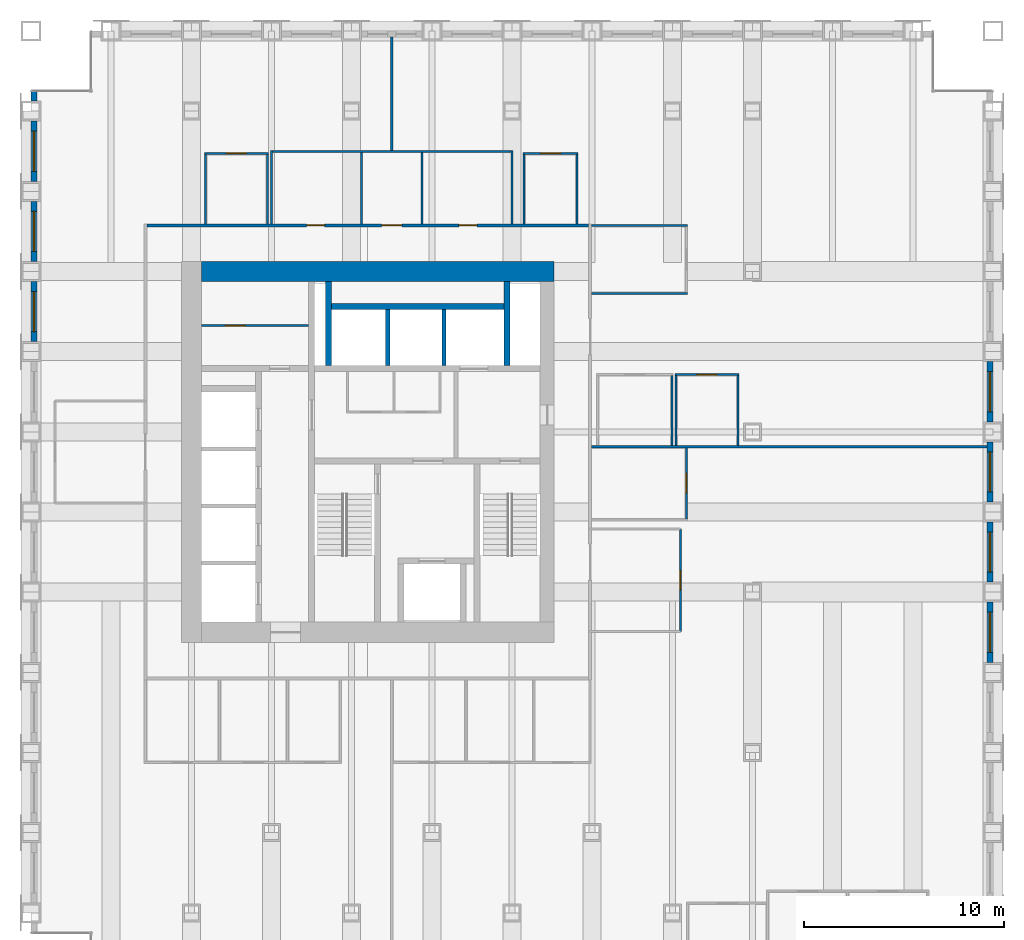
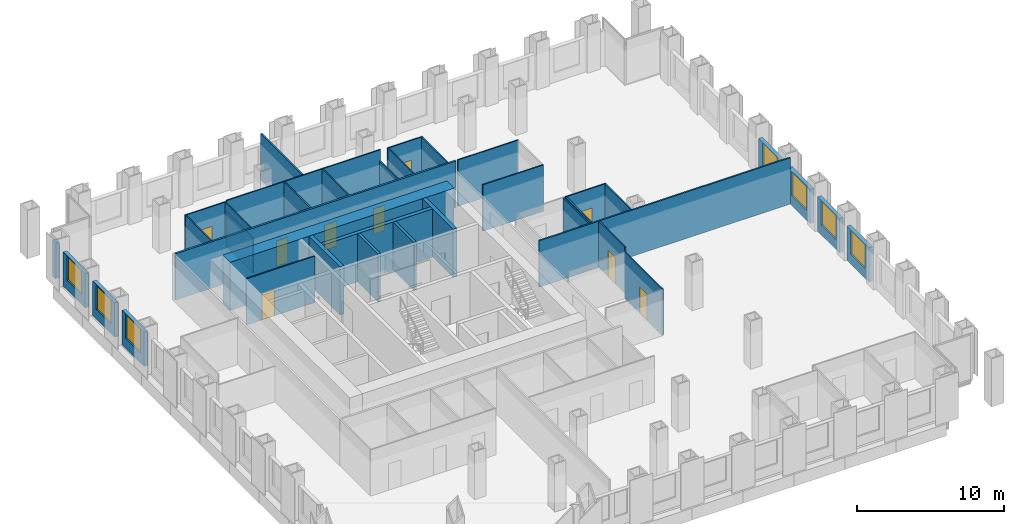
# One storey, part 13 of 16: 37 walls, 9 doors, 7 windows, 16 openings.
"""IFC4 building model written with IfcOpenShell, lengths in metres."""

from ifc_helpers import new_model, si_unit, direction, frame, frame_2d, origin, place, context, subcontext, project, spatial, rectangle, extrude, material, layer, layer_set, type_object, element, fill, save


model = new_model("IFC4")

# Units and contexts
model_context = context("Model", 3, precision=1e-05, world=origin(), true_north=direction((0.0, 1.0)))
body_context = subcontext(model_context, "Body", "Model", "MODEL_VIEW")
ifc_project = project(units=[si_unit("LENGTHUNIT", "METRE"), si_unit("AREAUNIT", "SQUARE_METRE"), si_unit("VOLUMEUNIT", "CUBIC_METRE"), si_unit("PLANEANGLEUNIT", "RADIAN"), si_unit("MASSUNIT", "GRAM", prefix="KILO")], contexts=[model_context])

# Site, building, storey
site_placement = place(None, origin())
site = spatial("IfcSite", under=ifc_project, at=site_placement, CompositionType="ELEMENT")
building_placement = place(site_placement, origin())
building = spatial("IfcBuilding", under=site, at=building_placement, Name="Rimbunsela Tower", CompositionType="ELEMENT")
storey_placement = place(building_placement, frame((0.0, 0.0, 97.39990234375)))
storey = spatial("IfcBuildingStorey", under=building, at=storey_placement, Name="L23", CompositionType="ELEMENT", Elevation=97.39990234375)

# Walls
ifc_material_1 = material(Name="Concrete fc' 80 MPa", Category="concrete")
ifc_layer_1 = layer(ifc_material_1, 0.300048828125)
ifc_layer_set_1 = layer_set([ifc_layer_1], Name="Core internal wall 300")
wall_type_1 = type_object("IfcWallType", Name="Core internal wall 300", PredefinedType="SHEAR", material=ifc_layer_set_1)
for number, where, z_axis, x_axis, name in (
    (1, (24.85009765625, 31.300048828125, -0.14990234375), (0.0, 0.0, 1.0), (0.0, 1.0, 0.0), "Riser wall"),
    (2, (33.75, 31.300048828125, -0.14990234375), (0.0, 0.0, 1.0), (0.0, 1.0, 0.0), "Riser wall"),
):
    element("IfcWall", number, at=place(storey_placement, frame(where, z_axis=z_axis, x_axis=x_axis)), inside=storey, type_object=wall_type_1, Name=name, PredefinedType="SHEAR", context=body_context, shape_type="SweptSolid", body=[
        extrude(rectangle(XDim=4.199951171875, YDim=0.300048828125, at=frame_2d((2.10009765625, 0.0))), origin(), (0.0, 0.0, 1.0), 4.0),
    ])
wall_1_placement = place(storey_placement, frame((25.0, 34.25, -0.14990234375), z_axis=(0.0, 0.0, 1.0), x_axis=(1.0, 0.0, 0.0)))
element("IfcWall", 3, at=wall_1_placement, inside=storey, type_object=wall_type_1, Name="Lift shaft rear north", PredefinedType="SHEAR", context=body_context, shape_type="SweptSolid", body=[
    extrude(rectangle(XDim=8.60009765625, YDim=0.300048828125, at=frame_2d((4.300048828125, 0.0))), origin(), (0.0, 0.0, 1.0), 4.0),
])

# Wall, opening, door
ifc_material_2 = material(Name="Concrete blockwork", Category="masonry")
ifc_layer_2 = layer(ifc_material_2, 0.10009765625)
ifc_layer_set_2 = layer_set([ifc_layer_2], Name="Core room partition 100")
wall_type_2 = type_object("IfcWallType", Name="Core room partition 100", PredefinedType="PARTITIONING", material=ifc_layer_set_2)
wall_2_placement = place(storey_placement, frame((18.5, 33.300048828125, 0.0), z_axis=(0.0, 0.0, 1.0), x_axis=(1.0, 0.0, 0.0)))
wall_2 = element("IfcWall", 4, at=wall_2_placement, inside=storey, type_object=wall_type_2, Name="Tenant store wall", PredefinedType="PARTITIONING", context=body_context, shape_type="SweptSolid", body=[
    extrude(rectangle(XDim=5.35009765625, YDim=0.10009765625, at=frame_2d((2.675048828125, 0.0))), origin(), (0.0, 0.0, 1.0), 3.85009765625),
])
opening_1_placement = place(wall_2_placement, frame((1.199951171875, 0.0, 0.0)))
opening_1 = element("IfcOpeningElement", 5, at=opening_1_placement, cuts=wall_2, Name="Opening D19", PredefinedType="OPENING", context=body_context, shape_type="SweptSolid", body=[
    extrude(rectangle(XDim=1.0, YDim=2.199951171875, at=frame_2d((0.5, 1.10009765625))), frame((0.0, 0.06005859375, 0.0), z_axis=(0.0, -1.0, 0.0), x_axis=(1.0, 0.0, 0.0)), (0.0, 0.0, 1.0), 0.1201171875),
])
ifc_material_3 = material(Name="Steel door, fire rated", Category="steel")
door_type_1 = type_object("IfcDoorType", Name="Service door 1000 fire rated", OperationType="SINGLE_SWING_LEFT", PredefinedType="DOOR", material=ifc_material_3)
door_1_placement = place(opening_1_placement, origin())
door_1 = element("IfcDoor", 6, at=door_1_placement, inside=storey, type_object=door_type_1, Name="Tenant store door", OperationType="SINGLE_SWING_LEFT", OverallHeight=2.199951171875, OverallWidth=1.0, PredefinedType="DOOR", context=body_context, shape_type="SweptSolid", body=[
    extrude(rectangle(XDim=1.0, YDim=2.199951171875, at=frame_2d((0.5, 1.10009765625))), frame((0.0, 0.02490234375, 0.0), z_axis=(0.0, -1.0, 0.0), x_axis=(1.0, 0.0, 0.0)), (0.0, 0.0, 1.0), 0.050048828125),
])
fill(opening_1, door_1)

# Walls
ifc_material_4 = material(Name="Concrete fc' 80 MPa", Category="concrete")
ifc_layer_3 = layer(ifc_material_4, 1.0)
ifc_layer_set_3 = layer_set([ifc_layer_3], Name="Core wall 1000")
wall_type_3 = type_object("IfcWallType", Name="Core wall 1000", PredefinedType="SHEAR", material=ifc_layer_set_3)
wall_3_placement = place(storey_placement, frame((18.5, 36.0, -0.14990234375), z_axis=(0.0, 0.0, 1.0), x_axis=(1.0, 0.0, 0.0)))
element("IfcWall", 7, at=wall_3_placement, inside=storey, type_object=wall_type_3, Name="Core wall north", PredefinedType="SHEAR", context=body_context, shape_type="SweptSolid", body=[
    extrude(rectangle(XDim=17.60009765625, YDim=1.0, at=frame_2d((8.800048828125, 0.0))), origin(), (0.0, 0.0, 1.0), 4.0),
])
ifc_material_5 = material(Name="Concrete blockwork", Category="masonry")
ifc_layer_4 = layer(ifc_material_5, 0.199951171875)
ifc_layer_set_4 = layer_set([ifc_layer_4], Name="Lift shaft wall 200")
wall_type_4 = type_object("IfcWallType", Name="Lift shaft wall 200", PredefinedType="SOLIDWALL", material=ifc_layer_set_4)
for number, where, z_axis, x_axis, name in (
    (8, (27.800048828125, 31.300048828125, -0.14990234375), (0.0, 0.0, 1.0), (0.0, 1.0, 0.0), "Lift shaft separation"),
    (9, (30.60009765625, 31.300048828125, -0.14990234375), (0.0, 0.0, 1.0), (0.0, 1.0, 0.0), "Lift shaft separation"),
):
    element("IfcWall", number, at=place(storey_placement, frame(where, z_axis=z_axis, x_axis=x_axis)), inside=storey, type_object=wall_type_4, Name=name, PredefinedType="SOLIDWALL", context=body_context, shape_type="SweptSolid", body=[
        extrude(rectangle(XDim=2.800048828125, YDim=0.199951171875, at=frame_2d((1.39990234375, 0.0))), origin(), (0.0, 0.0, 1.0), 4.0),
    ])

# Wall, opening, door
ifc_material_6 = material(Name="Gypsum board on steel studs", Category="steel")
ifc_layer_5 = layer(ifc_material_6, 0.10009765625)
ifc_layer_set_5 = layer_set([ifc_layer_5], Name="Office partition 100")
wall_type_5 = type_object("IfcWallType", Name="Office partition 100", PredefinedType="PARTITIONING", material=ifc_layer_set_5)
wall_4_placement = place(storey_placement, frame((42.125, 30.85009765625, 0.0), z_axis=(0.0, 0.0, 1.0), x_axis=(1.0, 0.0, 0.0)))
wall_4 = element("IfcWall", 10, at=wall_4_placement, inside=storey, type_object=wall_type_5, Name="Office partition", PredefinedType="PARTITIONING", context=body_context, shape_type="SweptSolid", body=[
    extrude(rectangle(XDim=3.199951171875, YDim=0.10009765625, at=frame_2d((1.60009765625, 0.0))), origin(), (0.0, 0.0, 1.0), 3.85009765625),
])
opening_2_placement = place(wall_4_placement, frame((1.10009765625, 0.0, 0.0)))
opening_2 = element("IfcOpeningElement", 11, at=opening_2_placement, cuts=wall_4, Name="Opening D16", PredefinedType="OPENING", context=body_context, shape_type="SweptSolid", body=[
    extrude(rectangle(XDim=1.0, YDim=2.199951171875, at=frame_2d((0.5, 1.10009765625))), frame((0.0, 0.06005859375, 0.0), z_axis=(0.0, -1.0, 0.0), x_axis=(1.0, 0.0, 0.0)), (0.0, 0.0, 1.0), 0.1201171875),
])
ifc_material_7 = material(Name="Timber door", Category="wood")
door_type_2 = type_object("IfcDoorType", Name="Office door 1000", OperationType="SINGLE_SWING_LEFT", PredefinedType="DOOR", material=ifc_material_7)
door_2_placement = place(opening_2_placement, origin())
door_2 = element("IfcDoor", 12, at=door_2_placement, inside=storey, type_object=door_type_2, Name="Office door", OperationType="SINGLE_SWING_LEFT", OverallHeight=2.199951171875, OverallWidth=1.0, PredefinedType="DOOR", context=body_context, shape_type="SweptSolid", body=[
    extrude(rectangle(XDim=1.0, YDim=2.199951171875, at=frame_2d((0.5, 1.10009765625))), frame((0.0, 0.02490234375, 0.0), z_axis=(0.0, -1.0, 0.0), x_axis=(1.0, 0.0, 0.0)), (0.0, 0.0, 1.0), 0.050048828125),
])
fill(opening_2, door_2)

# Walls
for number, where, z_axis, x_axis, name in (
    (13, (37.97509765625, 34.89990234375, 0.0), (0.0, 0.0, 1.0), (1.0, 0.0, 0.0), "Office partition"),
    (14, (37.97509765625, 38.300048828125, 0.0), (0.0, 0.0, 1.0), (1.0, 0.0, 0.0), "Office partition"),
):
    element("IfcWall", number, at=place(storey_placement, frame(where, z_axis=z_axis, x_axis=x_axis)), inside=storey, type_object=wall_type_5, Name=name, PredefinedType="PARTITIONING", context=body_context, shape_type="SweptSolid", body=[
        extrude(rectangle(XDim=4.77490234375, YDim=0.10009765625, at=frame_2d((2.387451171875, 0.0))), origin(), (0.0, 0.0, 1.0), 3.85009765625),
    ])

# Wall, opening, door
wall_5_placement = place(storey_placement, frame((18.64990234375, 41.89990234375, 0.0), z_axis=(0.0, 0.0, 1.0), x_axis=(1.0, 0.0, 0.0)))
wall_5 = element("IfcWall", 15, at=wall_5_placement, inside=storey, type_object=wall_type_5, Name="Office partition", PredefinedType="PARTITIONING", context=body_context, shape_type="SweptSolid", body=[
    extrude(rectangle(XDim=3.2001953125, YDim=0.10009765625, at=frame_2d((1.60009765625, 0.0))), origin(), (0.0, 0.0, 1.0), 3.85009765625),
])
opening_3_placement = place(wall_5_placement, frame((1.10009765625, 0.0, 0.0)))
opening_3 = element("IfcOpeningElement", 16, at=opening_3_placement, cuts=wall_5, Name="Opening D16", PredefinedType="OPENING", context=body_context, shape_type="SweptSolid", body=[
    extrude(rectangle(XDim=1.0, YDim=2.199951171875, at=frame_2d((0.5, 1.10009765625))), frame((0.0, 0.06005859375, 0.0), z_axis=(0.0, -1.0, 0.0), x_axis=(1.0, 0.0, 0.0)), (0.0, 0.0, 1.0), 0.1201171875),
])
door_3_placement = place(opening_3_placement, origin())
door_3 = element("IfcDoor", 17, at=door_3_placement, inside=storey, type_object=door_type_2, Name="Office door", OperationType="SINGLE_SWING_LEFT", OverallHeight=2.199951171875, OverallWidth=1.0, PredefinedType="DOOR", context=body_context, shape_type="SweptSolid", body=[
    extrude(rectangle(XDim=1.0, YDim=2.199951171875, at=frame_2d((0.5, 1.10009765625))), frame((0.0, 0.02490234375, 0.0), z_axis=(0.0, -1.0, 0.0), x_axis=(1.0, 0.0, 0.0)), (0.0, 0.0, 1.0), 0.050048828125),
])
fill(opening_3, door_3)

wall_6_placement = place(storey_placement, frame((34.550048828125, 41.89990234375, 0.0), z_axis=(0.0, 0.0, 1.0), x_axis=(1.0, 0.0, 0.0)))
wall_6 = element("IfcWall", 18, at=wall_6_placement, inside=storey, type_object=wall_type_5, Name="Office partition", PredefinedType="PARTITIONING", context=body_context, shape_type="SweptSolid", body=[
    extrude(rectangle(XDim=2.75, YDim=0.10009765625, at=frame_2d((1.375, 0.0))), origin(), (0.0, 0.0, 1.0), 3.85009765625),
])
opening_4_placement = place(wall_6_placement, frame((0.875, 0.0, 0.0)))
opening_4 = element("IfcOpeningElement", 19, at=opening_4_placement, cuts=wall_6, Name="Opening D16", PredefinedType="OPENING", context=body_context, shape_type="SweptSolid", body=[
    extrude(rectangle(XDim=1.0, YDim=2.199951171875, at=frame_2d((0.5, 1.10009765625))), frame((0.0, 0.06005859375, 0.0), z_axis=(0.0, -1.0, 0.0), x_axis=(1.0, 0.0, 0.0)), (0.0, 0.0, 1.0), 0.1201171875),
])
door_4_placement = place(opening_4_placement, origin())
door_4 = element("IfcDoor", 20, at=door_4_placement, inside=storey, type_object=door_type_2, Name="Office door", OperationType="SINGLE_SWING_LEFT", OverallHeight=2.199951171875, OverallWidth=1.0, PredefinedType="DOOR", context=body_context, shape_type="SweptSolid", body=[
    extrude(rectangle(XDim=1.0, YDim=2.199951171875, at=frame_2d((0.5, 1.10009765625))), frame((0.0, 0.02490234375, 0.0), z_axis=(0.0, -1.0, 0.0), x_axis=(1.0, 0.0, 0.0)), (0.0, 0.0, 1.0), 0.050048828125),
])
fill(opening_4, door_4)

# Walls
for number, where, z_axis, x_axis, name in (
    (21, (18.699951171875, 38.375, 0.0), (0.0, 0.0, 1.0), (0.0, 1.0, 0.0), "Office partition"),
    (22, (21.800048828125, 38.375, 0.0), (0.0, 0.0, 1.0), (0.0, 1.0, 0.0), "Office partition"),
    (23, (34.60009765625, 38.375, 0.0), (0.0, 0.0, 1.0), (0.0, 1.0, 0.0), "Office partition"),
    (24, (37.25, 38.375, 0.0), (0.0, 0.0, 1.0), (0.0, 1.0, 0.0), "Office partition"),
):
    element("IfcWall", number, at=place(storey_placement, frame(where, z_axis=z_axis, x_axis=x_axis)), inside=storey, type_object=wall_type_5, Name=name, PredefinedType="PARTITIONING", context=body_context, shape_type="SweptSolid", body=[
        extrude(rectangle(XDim=3.47509765625, YDim=0.10009765625, at=frame_2d((1.737548828125, 0.0))), origin(), (0.0, 0.0, 1.0), 3.85009765625),
    ])
for number, where, z_axis, x_axis, name in (
    (25, (41.97509765625, 27.31005859375, 0.0), (0.0, 0.0, 1.0), (0.0, 1.0, 0.0), "Office partition"),
    (26, (42.175048828125, 27.31005859375, 0.0), (0.0, 0.0, 1.0), (0.0, 1.0, 0.0), "Office partition"),
):
    element("IfcWall", number, at=place(storey_placement, frame(where, z_axis=z_axis, x_axis=x_axis)), inside=storey, type_object=wall_type_5, Name=name, PredefinedType="PARTITIONING", context=body_context, shape_type="SweptSolid", body=[
        extrude(rectangle(XDim=3.489990234375, YDim=0.10009765625, at=frame_2d((1.7451171875, 0.0))), origin(), (0.0, 0.0, 1.0), 3.85009765625),
    ])

# Wall, opening, door
wall_7_placement = place(storey_placement, frame((42.699951171875, 23.64892578125, 0.0), z_axis=(0.0, 0.0, 1.0), x_axis=(0.0, 1.0, 0.0)))
wall_7 = element("IfcWall", 27, at=wall_7_placement, inside=storey, type_object=wall_type_5, Name="Office partition", PredefinedType="PARTITIONING", context=body_context, shape_type="SweptSolid", body=[
    extrude(rectangle(XDim=3.5400390625, YDim=0.10009765625, at=frame_2d((1.77001953125, 0.0))), origin(), (0.0, 0.0, 1.0), 3.85009765625),
])
opening_5_placement = place(wall_7_placement, frame((1.27490234375, 0.0, 0.0)))
opening_5 = element("IfcOpeningElement", 28, at=opening_5_placement, cuts=wall_7, Name="Opening D16", PredefinedType="OPENING", context=body_context, shape_type="SweptSolid", body=[
    extrude(rectangle(XDim=1.0, YDim=2.199951171875, at=frame_2d((0.5, 1.10009765625))), frame((0.0, 0.06005859375, 0.0), z_axis=(0.0, -1.0, 0.0), x_axis=(1.0, 0.0, 0.0)), (0.0, 0.0, 1.0), 0.1201171875),
])
door_5_placement = place(opening_5_placement, origin())
door_5 = element("IfcDoor", 29, at=door_5_placement, inside=storey, type_object=door_type_2, Name="Office door", OperationType="SINGLE_SWING_LEFT", OverallHeight=2.199951171875, OverallWidth=1.0, PredefinedType="DOOR", context=body_context, shape_type="SweptSolid", body=[
    extrude(rectangle(XDim=1.0, YDim=2.199951171875, at=frame_2d((0.5, 1.10009765625))), frame((0.0, 0.02490234375, 0.0), z_axis=(0.0, -1.0, 0.0), x_axis=(1.0, 0.0, 0.0)), (0.0, 0.0, 1.0), 0.050048828125),
])
fill(opening_5, door_5)

# Wall
wall_8_placement = place(storey_placement, frame((45.27490234375, 27.31005859375, 0.0), z_axis=(0.0, 0.0, 1.0), x_axis=(0.0, 1.0, 0.0)))
element("IfcWall", 30, at=wall_8_placement, inside=storey, type_object=wall_type_5, Name="Office partition", PredefinedType="PARTITIONING", context=body_context, shape_type="SweptSolid", body=[
    extrude(rectangle(XDim=3.489990234375, YDim=0.10009765625, at=frame_2d((1.7451171875, 0.0))), origin(), (0.0, 0.0, 1.0), 3.85009765625),
])

# Wall, opening, door
wall_9_placement = place(storey_placement, frame((42.39990234375, 18.049072265625, 0.0), z_axis=(0.0, 0.0, 1.0), x_axis=(0.0, 1.0, 0.0)))
wall_9 = element("IfcWall", 31, at=wall_9_placement, inside=storey, type_object=wall_type_5, Name="Office partition", PredefinedType="PARTITIONING", context=body_context, shape_type="SweptSolid", body=[
    extrude(rectangle(XDim=5.099853515625, YDim=0.10009765625, at=frame_2d((2.5498046875, 0.0))), origin(), (0.0, 0.0, 1.0), 3.85009765625),
])
opening_6_placement = place(wall_9_placement, frame((2.050048828125, 0.0, 0.0)))
opening_6 = element("IfcOpeningElement", 32, at=opening_6_placement, cuts=wall_9, Name="Opening D17", PredefinedType="OPENING", context=body_context, shape_type="SweptSolid", body=[
    extrude(rectangle(XDim=1.0, YDim=2.199951171875, at=frame_2d((0.5, 1.10009765625))), frame((0.0, 0.06005859375, 0.0), z_axis=(0.0, -1.0, 0.0), x_axis=(1.0, 0.0, 0.0)), (0.0, 0.0, 1.0), 0.1201171875),
])
ifc_material_8 = material(Name="Glazed aluminium door", Category="aluminium")
door_type_3 = type_object("IfcDoorType", Name="Meeting room door 1000 glazed", OperationType="SINGLE_SWING_RIGHT", PredefinedType="DOOR", material=ifc_material_8)
door_6_placement = place(opening_6_placement, origin())
door_6 = element("IfcDoor", 33, at=door_6_placement, inside=storey, type_object=door_type_3, Name="Reception door", OperationType="SINGLE_SWING_RIGHT", OverallHeight=2.199951171875, OverallWidth=1.0, PredefinedType="DOOR", context=body_context, shape_type="SweptSolid", body=[
    extrude(rectangle(XDim=1.0, YDim=2.199951171875, at=frame_2d((0.5, 1.10009765625))), frame((0.0, 0.02490234375, 0.0), z_axis=(0.0, -1.0, 0.0), x_axis=(1.0, 0.0, 0.0)), (0.0, 0.0, 1.0), 0.050048828125),
])
fill(opening_6, door_6)

# Wall, opening, window
ifc_material_9 = material(Name="Precast concrete fc' 35 MPa", Category="concrete")
ifc_layer_6 = layer(ifc_material_9, 0.300048828125)
ifc_layer_set_6 = layer_set([ifc_layer_6], Name="Precast concrete fc' 35 MPa")
wall_type_6 = type_object("IfcWallType", Name="Precast facade panel 300", PredefinedType="ELEMENTEDWALL", material=ifc_layer_set_6)
wall_10_placement = place(storey_placement, frame((57.85009765625, 16.5, 0.0), z_axis=(0.0, 0.0, 1.0), x_axis=(0.0, 1.0, 0.0)))
wall_10 = element("IfcWall", 34, at=wall_10_placement, inside=storey, type_object=wall_type_6, Name="Facade panel E L23", PredefinedType="ELEMENTEDWALL", context=body_context, shape_type="SweptSolid", body=[
    extrude(rectangle(XDim=3.0, YDim=0.300048828125, at=frame_2d((1.5, 0.0))), origin(), (0.0, 0.0, 1.0), 2.85009765625),
])
opening_7_placement = place(wall_10_placement, frame((0.5, 0.0, 0.800048828125)))
opening_7 = element("IfcOpeningElement", 35, at=opening_7_placement, cuts=wall_10, Name="Opening W1", PredefinedType="OPENING", context=body_context, shape_type="SweptSolid", body=[
    extrude(rectangle(XDim=2.0, YDim=2.0, at=frame_2d((1.0, 1.0))), frame((0.0, 0.159912109375, 0.0), z_axis=(0.0, -1.0, 0.0), x_axis=(1.0, 0.0, 0.0)), (0.0, 0.0, 1.0), 0.320068359375),
])
ifc_material_10 = material(Name="Clear glass in aluminium frame", Category="aluminium")
window_type = type_object("IfcWindowType", Name="Window W1 2000x2000", PartitioningType="DOUBLE_PANEL_VERTICAL", PredefinedType="WINDOW", material=ifc_material_10)
window_1_placement = place(opening_7_placement, origin())
window_1 = element("IfcWindow", 36, at=window_1_placement, inside=storey, type_object=window_type, Name="Window L23", OverallHeight=2.0, OverallWidth=2.0, PartitioningType="SINGLE_PANEL", PredefinedType="WINDOW", context=body_context, shape_type="SweptSolid", body=[
    extrude(rectangle(XDim=2.0, YDim=2.0, at=frame_2d((1.0, 1.0))), frame((0.0, 0.030029296875, 0.0), z_axis=(0.0, -1.0, 0.0), x_axis=(1.0, 0.0, 0.0)), (0.0, 0.0, 1.0), 0.06005859375),
])
fill(opening_7, window_1)

wall_11_placement = place(storey_placement, frame((57.85009765625, 20.5, 0.0), z_axis=(0.0, 0.0, 1.0), x_axis=(0.0, 1.0, 0.0)))
wall_11 = element("IfcWall", 37, at=wall_11_placement, inside=storey, type_object=wall_type_6, Name="Facade panel E L23", PredefinedType="ELEMENTEDWALL", context=body_context, shape_type="SweptSolid", body=[
    extrude(rectangle(XDim=3.0, YDim=0.300048828125, at=frame_2d((1.5, 0.0))), origin(), (0.0, 0.0, 1.0), 2.85009765625),
])
opening_8_placement = place(wall_11_placement, frame((0.5, 0.0, 0.800048828125)))
opening_8 = element("IfcOpeningElement", 38, at=opening_8_placement, cuts=wall_11, Name="Opening W1", PredefinedType="OPENING", context=body_context, shape_type="SweptSolid", body=[
    extrude(rectangle(XDim=2.0, YDim=2.0, at=frame_2d((1.0, 1.0))), frame((0.0, 0.159912109375, 0.0), z_axis=(0.0, -1.0, 0.0), x_axis=(1.0, 0.0, 0.0)), (0.0, 0.0, 1.0), 0.320068359375),
])
window_2_placement = place(opening_8_placement, origin())
window_2 = element("IfcWindow", 39, at=window_2_placement, inside=storey, type_object=window_type, Name="Window L23", OverallHeight=2.0, OverallWidth=2.0, PartitioningType="SINGLE_PANEL", PredefinedType="WINDOW", context=body_context, shape_type="SweptSolid", body=[
    extrude(rectangle(XDim=2.0, YDim=2.0, at=frame_2d((1.0, 1.0))), frame((0.0, 0.030029296875, 0.0), z_axis=(0.0, -1.0, 0.0), x_axis=(1.0, 0.0, 0.0)), (0.0, 0.0, 1.0), 0.06005859375),
])
fill(opening_8, window_2)

wall_12_placement = place(storey_placement, frame((57.85009765625, 24.5, 0.0), z_axis=(0.0, 0.0, 1.0), x_axis=(0.0, 1.0, 0.0)))
wall_12 = element("IfcWall", 40, at=wall_12_placement, inside=storey, type_object=wall_type_6, Name="Facade panel E L23", PredefinedType="ELEMENTEDWALL", context=body_context, shape_type="SweptSolid", body=[
    extrude(rectangle(XDim=3.0, YDim=0.300048828125, at=frame_2d((1.5, 0.0))), origin(), (0.0, 0.0, 1.0), 2.85009765625),
])
opening_9_placement = place(wall_12_placement, frame((0.5, 0.0, 0.800048828125)))
opening_9 = element("IfcOpeningElement", 41, at=opening_9_placement, cuts=wall_12, Name="Opening W1", PredefinedType="OPENING", context=body_context, shape_type="SweptSolid", body=[
    extrude(rectangle(XDim=2.0, YDim=2.0, at=frame_2d((1.0, 1.0))), frame((0.0, 0.159912109375, 0.0), z_axis=(0.0, -1.0, 0.0), x_axis=(1.0, 0.0, 0.0)), (0.0, 0.0, 1.0), 0.320068359375),
])
window_3_placement = place(opening_9_placement, origin())
window_3 = element("IfcWindow", 42, at=window_3_placement, inside=storey, type_object=window_type, Name="Window L23", OverallHeight=2.0, OverallWidth=2.0, PartitioningType="SINGLE_PANEL", PredefinedType="WINDOW", context=body_context, shape_type="SweptSolid", body=[
    extrude(rectangle(XDim=2.0, YDim=2.0, at=frame_2d((1.0, 1.0))), frame((0.0, 0.030029296875, 0.0), z_axis=(0.0, -1.0, 0.0), x_axis=(1.0, 0.0, 0.0)), (0.0, 0.0, 1.0), 0.06005859375),
])
fill(opening_9, window_3)

wall_13_placement = place(storey_placement, frame((57.85009765625, 28.5, 0.0), z_axis=(0.0, 0.0, 1.0), x_axis=(0.0, 1.0, 0.0)))
wall_13 = element("IfcWall", 43, at=wall_13_placement, inside=storey, type_object=wall_type_6, Name="Facade panel E L23", PredefinedType="ELEMENTEDWALL", context=body_context, shape_type="SweptSolid", body=[
    extrude(rectangle(XDim=3.0, YDim=0.300048828125, at=frame_2d((1.5, 0.0))), origin(), (0.0, 0.0, 1.0), 2.85009765625),
])
opening_10_placement = place(wall_13_placement, frame((0.5, 0.0, 0.800048828125)))
opening_10 = element("IfcOpeningElement", 44, at=opening_10_placement, cuts=wall_13, Name="Opening W1", PredefinedType="OPENING", context=body_context, shape_type="SweptSolid", body=[
    extrude(rectangle(XDim=2.0, YDim=2.0, at=frame_2d((1.0, 1.0))), frame((0.0, 0.159912109375, 0.0), z_axis=(0.0, -1.0, 0.0), x_axis=(1.0, 0.0, 0.0)), (0.0, 0.0, 1.0), 0.320068359375),
])
window_4_placement = place(opening_10_placement, origin())
window_4 = element("IfcWindow", 45, at=window_4_placement, inside=storey, type_object=window_type, Name="Window L23", OverallHeight=2.0, OverallWidth=2.0, PartitioningType="SINGLE_PANEL", PredefinedType="WINDOW", context=body_context, shape_type="SweptSolid", body=[
    extrude(rectangle(XDim=2.0, YDim=2.0, at=frame_2d((1.0, 1.0))), frame((0.0, 0.030029296875, 0.0), z_axis=(0.0, -1.0, 0.0), x_axis=(1.0, 0.0, 0.0)), (0.0, 0.0, 1.0), 0.06005859375),
])
fill(opening_10, window_4)

wall_14_placement = place(storey_placement, frame((10.14990234375, 35.5, 0.0), z_axis=(0.0, 0.0, 1.0), x_axis=(0.0, -1.0, 0.0)))
wall_14 = element("IfcWall", 46, at=wall_14_placement, inside=storey, type_object=wall_type_6, Name="Facade panel W L23", PredefinedType="ELEMENTEDWALL", context=body_context, shape_type="SweptSolid", body=[
    extrude(rectangle(XDim=3.0, YDim=0.300048828125, at=frame_2d((1.5, 0.0))), origin(), (0.0, 0.0, 1.0), 2.85009765625),
])
opening_11_placement = place(wall_14_placement, frame((0.5, 0.0, 0.800048828125)))
opening_11 = element("IfcOpeningElement", 47, at=opening_11_placement, cuts=wall_14, Name="Opening W1", PredefinedType="OPENING", context=body_context, shape_type="SweptSolid", body=[
    extrude(rectangle(XDim=2.0, YDim=2.0, at=frame_2d((1.0, 1.0))), frame((0.0, 0.159912109375, 0.0), z_axis=(0.0, -1.0, 0.0), x_axis=(1.0, 0.0, 0.0)), (0.0, 0.0, 1.0), 0.320068359375),
])
window_5_placement = place(opening_11_placement, origin())
window_5 = element("IfcWindow", 48, at=window_5_placement, inside=storey, type_object=window_type, Name="Window L23", OverallHeight=2.0, OverallWidth=2.0, PartitioningType="SINGLE_PANEL", PredefinedType="WINDOW", context=body_context, shape_type="SweptSolid", body=[
    extrude(rectangle(XDim=2.0, YDim=2.0, at=frame_2d((1.0, 1.0))), frame((0.0, 0.030029296875, 0.0), z_axis=(0.0, -1.0, 0.0), x_axis=(1.0, 0.0, 0.0)), (0.0, 0.0, 1.0), 0.06005859375),
])
fill(opening_11, window_5)

wall_15_placement = place(storey_placement, frame((10.14990234375, 39.5, 0.0), z_axis=(0.0, 0.0, 1.0), x_axis=(0.0, -1.0, 0.0)))
wall_15 = element("IfcWall", 49, at=wall_15_placement, inside=storey, type_object=wall_type_6, Name="Facade panel W L23", PredefinedType="ELEMENTEDWALL", context=body_context, shape_type="SweptSolid", body=[
    extrude(rectangle(XDim=3.0, YDim=0.300048828125, at=frame_2d((1.5, 0.0))), origin(), (0.0, 0.0, 1.0), 2.85009765625),
])
opening_12_placement = place(wall_15_placement, frame((0.5, 0.0, 0.800048828125)))
opening_12 = element("IfcOpeningElement", 50, at=opening_12_placement, cuts=wall_15, Name="Opening W1", PredefinedType="OPENING", context=body_context, shape_type="SweptSolid", body=[
    extrude(rectangle(XDim=2.0, YDim=2.0, at=frame_2d((1.0, 1.0))), frame((0.0, 0.159912109375, 0.0), z_axis=(0.0, -1.0, 0.0), x_axis=(1.0, 0.0, 0.0)), (0.0, 0.0, 1.0), 0.320068359375),
])
window_6_placement = place(opening_12_placement, origin())
window_6 = element("IfcWindow", 51, at=window_6_placement, inside=storey, type_object=window_type, Name="Window L23", OverallHeight=2.0, OverallWidth=2.0, PartitioningType="SINGLE_PANEL", PredefinedType="WINDOW", context=body_context, shape_type="SweptSolid", body=[
    extrude(rectangle(XDim=2.0, YDim=2.0, at=frame_2d((1.0, 1.0))), frame((0.0, 0.030029296875, 0.0), z_axis=(0.0, -1.0, 0.0), x_axis=(1.0, 0.0, 0.0)), (0.0, 0.0, 1.0), 0.06005859375),
])
fill(opening_12, window_6)

wall_16_placement = place(storey_placement, frame((10.14990234375, 43.5, 0.0), z_axis=(0.0, 0.0, 1.0), x_axis=(0.0, -1.0, 0.0)))
wall_16 = element("IfcWall", 52, at=wall_16_placement, inside=storey, type_object=wall_type_6, Name="Facade panel W L23", PredefinedType="ELEMENTEDWALL", context=body_context, shape_type="SweptSolid", body=[
    extrude(rectangle(XDim=3.0, YDim=0.300048828125, at=frame_2d((1.5, 0.0))), origin(), (0.0, 0.0, 1.0), 2.85009765625),
])
opening_13_placement = place(wall_16_placement, frame((0.5, 0.0, 0.800048828125)))
opening_13 = element("IfcOpeningElement", 53, at=opening_13_placement, cuts=wall_16, Name="Opening W1", PredefinedType="OPENING", context=body_context, shape_type="SweptSolid", body=[
    extrude(rectangle(XDim=2.0, YDim=2.0, at=frame_2d((1.0, 1.0))), frame((0.0, 0.159912109375, 0.0), z_axis=(0.0, -1.0, 0.0), x_axis=(1.0, 0.0, 0.0)), (0.0, 0.0, 1.0), 0.320068359375),
])
window_7_placement = place(opening_13_placement, origin())
window_7 = element("IfcWindow", 54, at=window_7_placement, inside=storey, type_object=window_type, Name="Window L23", OverallHeight=2.0, OverallWidth=2.0, PartitioningType="SINGLE_PANEL", PredefinedType="WINDOW", context=body_context, shape_type="SweptSolid", body=[
    extrude(rectangle(XDim=2.0, YDim=2.0, at=frame_2d((1.0, 1.0))), frame((0.0, 0.030029296875, 0.0), z_axis=(0.0, -1.0, 0.0), x_axis=(1.0, 0.0, 0.0)), (0.0, 0.0, 1.0), 0.06005859375),
])
fill(opening_13, window_7)

# Wall
wall_17_placement = place(storey_placement, frame((10.14990234375, 44.969970703125, 0.0), z_axis=(0.0, 0.0, 1.0), x_axis=(0.0, -1.0, 0.0)))
element("IfcWall", 55, at=wall_17_placement, inside=storey, type_object=wall_type_6, Name="Facade panel W L23", PredefinedType="ELEMENTEDWALL", context=body_context, shape_type="SweptSolid", body=[
    extrude(rectangle(XDim=0.469970703125, YDim=0.300048828125, at=frame_2d((0.23486328125, 0.0))), origin(), (0.0, 0.0, 1.0), 2.9501953125),
])

# Wall, openings, doors
ifc_material_11 = material(Name="Fire-rated gypsum board on steel studs, EI 60", Category="steel")
ifc_layer_7 = layer(ifc_material_11, 0.14990234375)
ifc_layer_set_7 = layer_set([ifc_layer_7], Name="Rated corridor wall 150")
wall_type_7 = type_object("IfcWallType", Name="Rated corridor wall 150", PredefinedType="PARTITIONING", material=ifc_layer_set_7)
wall_18_placement = place(storey_placement, frame((15.77490234375, 38.300048828125, 0.0), z_axis=(0.0, 0.0, 1.0), x_axis=(1.0, 0.0, 0.0)))
wall_18 = element("IfcWall", 56, at=wall_18_placement, inside=storey, type_object=wall_type_7, Name="Corridor wall north", PredefinedType="PARTITIONING", context=body_context, shape_type="SweptSolid", body=[
    extrude(rectangle(XDim=22.050048828125, YDim=0.14990234375, at=frame_2d((11.02490234375, 0.0))), origin(), (0.0, 0.0, 1.0), 3.85009765625),
])
opening_14_placement = place(wall_18_placement, frame((7.97509765625, 0.0, 0.0)))
opening_14 = element("IfcOpeningElement", 57, at=opening_14_placement, cuts=wall_18, Name="Opening D04", PredefinedType="OPENING", context=body_context, shape_type="SweptSolid", body=[
    extrude(rectangle(XDim=0.89990234375, YDim=2.10009765625, at=frame_2d((0.449951171875, 1.050048828125))), frame((0.0, 0.0849609375, 0.0), z_axis=(0.0, -1.0, 0.0), x_axis=(1.0, 0.0, 0.0)), (0.0, 0.0, 1.0), 0.169921875),
])
opening_15_placement = place(wall_18_placement, frame((11.72509765625, 0.0, 0.0)))
opening_15 = element("IfcOpeningElement", 58, at=opening_15_placement, cuts=wall_18, Name="Opening D05", PredefinedType="OPENING", context=body_context, shape_type="SweptSolid", body=[
    extrude(rectangle(XDim=1.0, YDim=2.10009765625, at=frame_2d((0.5, 1.050048828125))), frame((0.0, 0.0849609375, 0.0), z_axis=(0.0, -1.0, 0.0), x_axis=(1.0, 0.0, 0.0)), (0.0, 0.0, 1.0), 0.169921875),
])
opening_16_placement = place(wall_18_placement, frame((15.574951171875, 0.0, 0.0)))
opening_16 = element("IfcOpeningElement", 59, at=opening_16_placement, cuts=wall_18, Name="Opening D04", PredefinedType="OPENING", context=body_context, shape_type="SweptSolid", body=[
    extrude(rectangle(XDim=0.89990234375, YDim=2.10009765625, at=frame_2d((0.449951171875, 1.050048828125))), frame((0.0, 0.0849609375, 0.0), z_axis=(0.0, -1.0, 0.0), x_axis=(1.0, 0.0, 0.0)), (0.0, 0.0, 1.0), 0.169921875),
])
ifc_material_12 = material(Name="Timber door", Category="wood")
door_type_4 = type_object("IfcDoorType", Name="Accessible WC door 1000", OperationType="SLIDING_TO_LEFT", PredefinedType="DOOR", material=ifc_material_12)
door_7_placement = place(opening_15_placement, origin())
door_7 = element("IfcDoor", 60, at=door_7_placement, inside=storey, type_object=door_type_4, Name="Accessible WC door", OperationType="SLIDING_TO_LEFT", OverallHeight=2.10009765625, OverallWidth=1.0, PredefinedType="DOOR", context=body_context, shape_type="SweptSolid", body=[
    extrude(rectangle(XDim=1.0, YDim=2.10009765625, at=frame_2d((0.5, 1.050048828125))), frame((0.0, 0.02490234375, 0.0), z_axis=(0.0, -1.0, 0.0), x_axis=(1.0, 0.0, 0.0)), (0.0, 0.0, 1.0), 0.050048828125),
])
fill(opening_15, door_7)
ifc_material_13 = material(Name="Timber door", Category="wood")
door_type_5 = type_object("IfcDoorType", Name="Toilet door 900", OperationType="SINGLE_SWING_LEFT", PredefinedType="DOOR", material=ifc_material_13)
door_8_placement = place(opening_14_placement, origin())
door_8 = element("IfcDoor", 61, at=door_8_placement, inside=storey, type_object=door_type_5, Name="Female WC door", OperationType="SINGLE_SWING_LEFT", OverallHeight=2.10009765625, OverallWidth=0.89990234375, PredefinedType="DOOR", context=body_context, shape_type="SweptSolid", body=[
    extrude(rectangle(XDim=0.89990234375, YDim=2.10009765625, at=frame_2d((0.449951171875, 1.050048828125))), frame((0.0, 0.02490234375, 0.0), z_axis=(0.0, -1.0, 0.0), x_axis=(1.0, 0.0, 0.0)), (0.0, 0.0, 1.0), 0.050048828125),
])
fill(opening_14, door_8)
door_9_placement = place(opening_16_placement, origin())
door_9 = element("IfcDoor", 62, at=door_9_placement, inside=storey, type_object=door_type_5, Name="Male WC door", OperationType="SINGLE_SWING_LEFT", OverallHeight=2.10009765625, OverallWidth=0.89990234375, PredefinedType="DOOR", context=body_context, shape_type="SweptSolid", body=[
    extrude(rectangle(XDim=0.89990234375, YDim=2.10009765625, at=frame_2d((0.449951171875, 1.050048828125))), frame((0.0, 0.02490234375, 0.0), z_axis=(0.0, -1.0, 0.0), x_axis=(1.0, 0.0, 0.0)), (0.0, 0.0, 1.0), 0.050048828125),
])
fill(opening_16, door_9)

# Walls
ifc_material_14 = material(Name="Gypsum board on steel studs", Category="steel")
ifc_layer_8 = layer(ifc_material_14, 0.1201171875)
ifc_layer_set_8 = layer_set([ifc_layer_8], Name="Tenancy partition 120")
wall_type_8 = type_object("IfcWallType", Name="Tenancy partition 120", PredefinedType="PARTITIONING", material=ifc_layer_set_8)
wall_19_placement = place(storey_placement, frame((28.0, 42.050048828125, 0.0), z_axis=(0.0, 0.0, 1.0), x_axis=(0.0, 1.0, 0.0)))
element("IfcWall", 63, at=wall_19_placement, inside=storey, type_object=wall_type_8, Name="Tenancy partition north", PredefinedType="PARTITIONING", context=body_context, shape_type="SweptSolid", body=[
    extrude(rectangle(XDim=5.64990234375, YDim=0.1201171875, at=frame_2d((2.824951171875, 0.0))), origin(), (0.0, 0.0, 1.0), 3.85009765625),
])
wall_20_placement = place(storey_placement, frame((37.97509765625, 27.25, 0.0), z_axis=(0.0, 0.0, 1.0), x_axis=(1.0, 0.0, 0.0)))
element("IfcWall", 64, at=wall_20_placement, inside=storey, type_object=wall_type_8, Name="Tenancy partition", PredefinedType="PARTITIONING", context=body_context, shape_type="SweptSolid", body=[
    extrude(rectangle(XDim=19.724853515625, YDim=0.1201171875, at=frame_2d((9.8623046875, 0.0))), origin(), (0.0, 0.0, 1.0), 3.85009765625),
])
ifc_material_15 = material(Name="Concrete blockwork", Category="masonry")
ifc_layer_9 = layer(ifc_material_15, 0.10009765625)
ifc_layer_set_9 = layer_set([ifc_layer_9], Name="Toilet partition 100")
wall_type_9 = type_object("IfcWallType", Name="Toilet partition 100", PredefinedType="PARTITIONING", material=ifc_layer_set_9)
for number, where, z_axis, x_axis, name in (
    (65, (22.0, 38.375, 0.0), (0.0, 0.0, 1.0), (0.0, 1.0, 0.0), "Toilet block wall west"),
    (66, (34.0, 38.375, 0.0), (0.0, 0.0, 1.0), (0.0, 1.0, 0.0), "Toilet block wall east"),
):
    element("IfcWall", number, at=place(storey_placement, frame(where, z_axis=z_axis, x_axis=x_axis)), inside=storey, type_object=wall_type_9, Name=name, PredefinedType="PARTITIONING", context=body_context, shape_type="SweptSolid", body=[
        extrude(rectangle(XDim=3.675048828125, YDim=0.10009765625, at=frame_2d((1.83740234375, 0.0))), origin(), (0.0, 0.0, 1.0), 2.9501953125),
    ])
wall_21_placement = place(storey_placement, frame((21.949951171875, 42.0, 0.0), z_axis=(0.0, 0.0, 1.0), x_axis=(1.0, 0.0, 0.0)))
element("IfcWall", 67, at=wall_21_placement, inside=storey, type_object=wall_type_9, Name="Toilet block wall north", PredefinedType="PARTITIONING", context=body_context, shape_type="SweptSolid", body=[
    extrude(rectangle(XDim=12.10009765625, YDim=0.10009765625, at=frame_2d((6.050048828125, 0.0))), origin(), (0.0, 0.0, 1.0), 3.85009765625),
])
for number, where, z_axis, x_axis, name in (
    (68, (26.5, 38.375, 0.0), (0.0, 0.0, 1.0), (0.0, 1.0, 0.0), "Toilet partition"),
    (69, (29.5, 38.375, 0.0), (0.0, 0.0, 1.0), (0.0, 1.0, 0.0), "Toilet partition"),
):
    element("IfcWall", number, at=place(storey_placement, frame(where, z_axis=z_axis, x_axis=x_axis)), inside=storey, type_object=wall_type_9, Name=name, PredefinedType="PARTITIONING", context=body_context, shape_type="SweptSolid", body=[
        extrude(rectangle(XDim=3.574951171875, YDim=0.10009765625, at=frame_2d((1.78759765625, 0.0))), origin(), (0.0, 0.0, 1.0), 3.85009765625),
    ])

save(model, "model.ifc")
